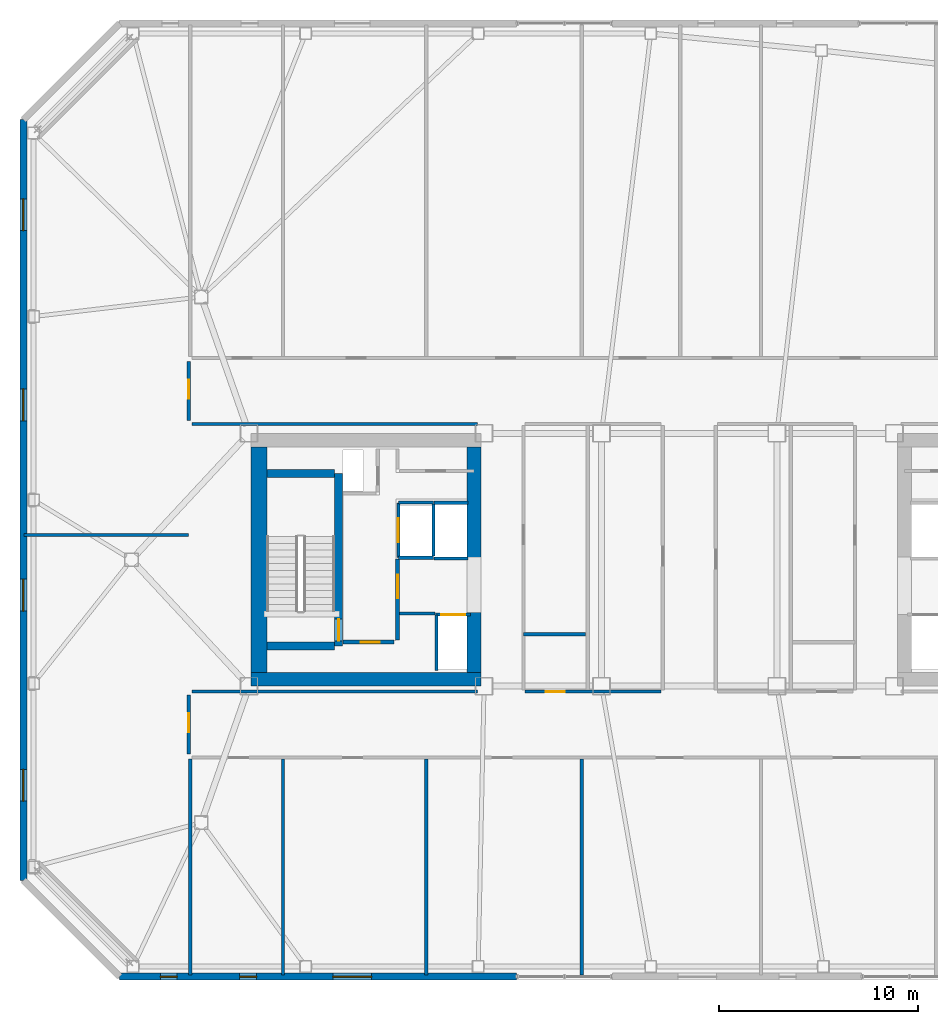
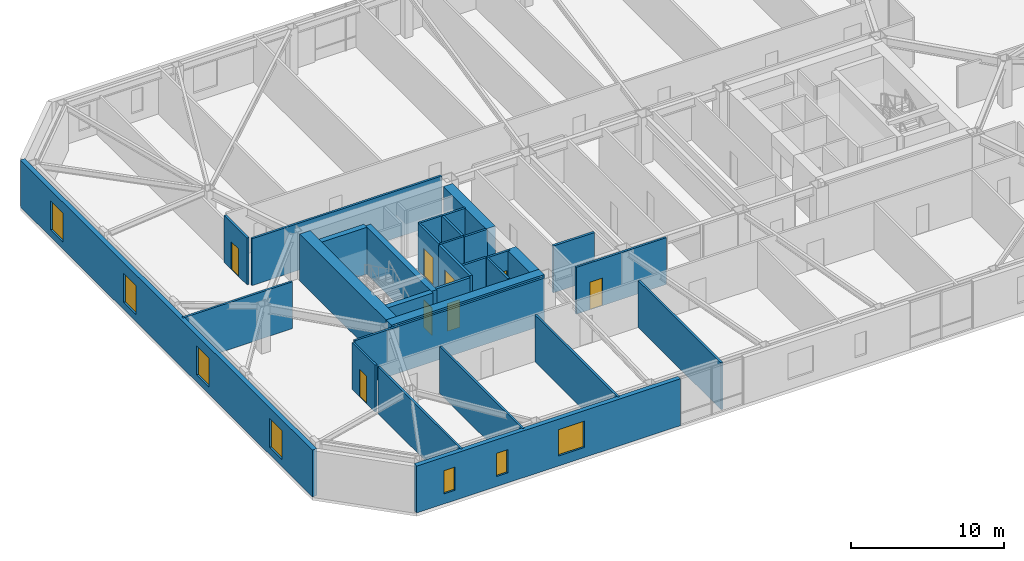
# One storey, part 10 of 18: 31 walls, 8 doors, 7 windows, 15 openings.
"""IFC4 building model written with IfcOpenShell, lengths in metres."""

from ifc_helpers import new_model, si_unit, direction, frame, frame_2d, origin, place, context, subcontext, project, spatial, rectangle, extrude, material, layer, layer_set, type_object, element, fill, save


model = new_model("IFC4")

# Units and contexts
model_context = context("Model", 3, precision=1e-05, world=origin(), true_north=direction((0.0, 1.0)))
body_context = subcontext(model_context, "Body", "Model", "MODEL_VIEW")
ifc_project = project(units=[si_unit("LENGTHUNIT", "METRE"), si_unit("AREAUNIT", "SQUARE_METRE"), si_unit("VOLUMEUNIT", "CUBIC_METRE"), si_unit("PLANEANGLEUNIT", "RADIAN"), si_unit("MASSUNIT", "GRAM", prefix="KILO")], contexts=[model_context])

# Site, building, storey
site_placement = place(None, origin())
site = spatial("IfcSite", under=ifc_project, at=site_placement, CompositionType="ELEMENT")
building_placement = place(site_placement, origin())
building = spatial("IfcBuilding", under=site, at=building_placement, Name="Tavrogorsk Clinical Tower", CompositionType="ELEMENT")
storey_placement = place(building_placement, frame((0.0, 0.0, 196.199951171875)))
storey = spatial("IfcBuildingStorey", under=building, at=storey_placement, Name="L45", CompositionType="ELEMENT", Elevation=196.199951171875)

# Wall, opening, door
ifc_material_1 = material(Name="Concrete B60", Category="concrete")
ifc_layer_1 = layer(ifc_material_1, 0.199951171875)
ifc_layer_set_1 = layer_set([ifc_layer_1], Name="Concrete B60")
wall_type_1 = type_object("IfcWallType", Name="CoreFireWall_200", PredefinedType="SOLIDWALL", material=ifc_layer_set_1)
wall_1_placement = place(storey_placement, frame((-17.3798828125, -4.139892578125, 0.0), z_axis=(0.0, 0.0, 1.0), x_axis=(1.0, 0.0, 0.0)))
wall_1 = element("IfcWall", 1, at=wall_1_placement, inside=storey, type_object=wall_type_1, Name="L45 Core West South Core Room Fire Wall", PredefinedType="SOLIDWALL", context=body_context, shape_type="SweptSolid", body=[
    extrude(rectangle(XDim=2.554931640625, YDim=0.199951171875, at=frame_2d((1.27734375, 0.0))), origin(), (0.0, 0.0, 1.0), 3.739990234375),
])
opening_1_placement = place(wall_1_placement, frame((0.8798828125, 0.0, 0.0)))
opening_1 = element("IfcOpeningElement", 2, at=opening_1_placement, cuts=wall_1, Name="Opening ID-02", PredefinedType="OPENING", context=body_context, shape_type="SweptSolid", body=[
    extrude(rectangle(XDim=0.949951171875, YDim=2.199951171875, at=frame_2d((0.47509765625, 1.10009765625))), frame((0.0, 0.10986328125, 0.0), z_axis=(0.0, -1.0, 0.0), x_axis=(1.0, 0.0, 0.0)), (0.0, 0.0, 1.0), 0.219970703125),
])
ifc_material_2 = material(Name="Laminated timber leaf on aluminium frame", Category="wood")
door_type_1 = type_object("IfcDoorType", Name="InteriorDoor_ID02_950", OperationType="NOTDEFINED", PredefinedType="DOOR", material=ifc_material_2)
door_1_placement = place(opening_1_placement, origin())
door_1 = element("IfcDoor", 3, at=door_1_placement, inside=storey, type_object=door_type_1, Name="L45 Core West South Core Room Door", OperationType="SINGLE_SWING_RIGHT", OverallHeight=2.199951171875, OverallWidth=0.949951171875, PredefinedType="DOOR", context=body_context, shape_type="SweptSolid", body=[
    extrude(rectangle(XDim=0.949951171875, YDim=2.199951171875, at=frame_2d((0.47509765625, 1.10009765625))), frame((0.0, 0.02490234375, 0.0), z_axis=(0.0, -1.0, 0.0), x_axis=(1.0, 0.0, 0.0)), (0.0, 0.0, 1.0), 0.050048828125),
])
fill(opening_1, door_1)

wall_2_placement = place(storey_placement, frame((-14.639892578125, -4.034912109375, 0.0), z_axis=(0.0, 0.0, 1.0), x_axis=(0.0, 1.0, 0.0)))
wall_2 = element("IfcWall", 4, at=wall_2_placement, inside=storey, type_object=wall_type_1, Name="L45 Core West Firefighting Lobby Fire Wall", PredefinedType="SOLIDWALL", context=body_context, shape_type="SweptSolid", body=[
    extrude(rectangle(XDim=4.074951171875, YDim=0.199951171875, at=frame_2d((2.03759765625, 0.0))), origin(), (0.0, 0.0, 1.0), 3.739990234375),
])
opening_2_placement = place(wall_2_placement, frame((2.090087890625, 0.0, 0.0)))
opening_2 = element("IfcOpeningElement", 5, at=opening_2_placement, cuts=wall_2, Name="Opening FD-01", PredefinedType="OPENING", context=body_context, shape_type="SweptSolid", body=[
    extrude(rectangle(XDim=1.199951171875, YDim=2.199951171875, at=frame_2d((0.60009765625, 1.10009765625))), frame((0.0, 0.10986328125, 0.0), z_axis=(0.0, -1.0, 0.0), x_axis=(1.0, 0.0, 0.0)), (0.0, 0.0, 1.0), 0.219970703125),
])
ifc_material_3 = material(Name="Galvanised steel fire-rated door assembly", Category="steel")
door_type_2 = type_object("IfcDoorType", Name="FireDoor_FD01_1200", OperationType="NOTDEFINED", PredefinedType="DOOR", material=ifc_material_3)
door_2_placement = place(opening_2_placement, origin())
door_2 = element("IfcDoor", 6, at=door_2_placement, inside=storey, type_object=door_type_2, Name="L45 Core West Firefighting Lobby Entry Door", OperationType="SINGLE_SWING_RIGHT", OverallHeight=2.199951171875, OverallWidth=1.199951171875, PredefinedType="DOOR", context=body_context, shape_type="SweptSolid", body=[
    extrude(rectangle(XDim=1.199951171875, YDim=2.199951171875, at=frame_2d((0.60009765625, 1.10009765625))), frame((0.0, 0.02490234375, 0.0), z_axis=(0.0, -1.0, 0.0), x_axis=(1.0, 0.0, 0.0)), (0.0, 0.0, 1.0), 0.050048828125),
])
fill(opening_2, door_2)

# Wall
ifc_material_4 = material(Name="Lightweight concrete blockwork B15", Category="masonry")
ifc_layer_2 = layer(ifc_material_4, 0.159912109375)
ifc_layer_set_2 = layer_set([ifc_layer_2], Name="Lightweight concrete blockwork B15")
wall_type_2 = type_object("IfcWallType", Name="PartitionWall_160", PredefinedType="PARTITIONING", material=ifc_layer_set_2)
wall_3_placement = place(storey_placement, frame((-14.534912109375, -2.699951171875, 0.0), z_axis=(0.0, 0.0, 1.0), x_axis=(1.0, 0.0, 0.0)))
element("IfcWall", 7, at=wall_3_placement, inside=storey, type_object=wall_type_2, Name="L45 Core West Freed Low-Bank North Partition", PredefinedType="PARTITIONING", context=body_context, shape_type="SweptSolid", body=[
    extrude(rectangle(XDim=1.760009765625, YDim=0.159912109375, at=frame_2d((0.8798828125, 0.0))), origin(), (0.0, 0.0, 1.0), 3.739990234375),
])

# Wall, opening, door
wall_4_placement = place(storey_placement, frame((-25.1298828125, -9.764892578125, 0.0), z_axis=(0.0, 0.0, 1.0), x_axis=(0.0, 1.0, 0.0)))
wall_4 = element("IfcWall", 8, at=wall_4_placement, inside=storey, type_object=wall_type_2, Name="L45 Corridor Partition 01", PredefinedType="PARTITIONING", context=body_context, shape_type="SweptSolid", body=[
    extrude(rectangle(XDim=2.97998046875, YDim=0.159912109375, at=frame_2d((1.489990234375, 0.0))), origin(), (0.0, 0.0, 1.0), 3.739990234375),
])
opening_3_placement = place(wall_4_placement, frame((1.10009765625, 0.0, 0.0)))
opening_3 = element("IfcOpeningElement", 9, at=opening_3_placement, cuts=wall_4, Name="Opening ID-02", PredefinedType="OPENING", context=body_context, shape_type="SweptSolid", body=[
    extrude(rectangle(XDim=0.949951171875, YDim=2.199951171875, at=frame_2d((0.47509765625, 1.10009765625))), frame((0.0, 0.08984375, 0.0), z_axis=(0.0, -1.0, 0.0), x_axis=(1.0, 0.0, 0.0)), (0.0, 0.0, 1.0), 0.179931640625),
])
door_3_placement = place(opening_3_placement, origin())
door_3 = element("IfcDoor", 10, at=door_3_placement, inside=storey, type_object=door_type_1, Name="L45 W Solarium Day Room & Lounge 1 Door", OperationType="SINGLE_SWING_RIGHT", OverallHeight=2.199951171875, OverallWidth=0.949951171875, PredefinedType="DOOR", context=body_context, shape_type="SweptSolid", body=[
    extrude(rectangle(XDim=0.949951171875, YDim=2.199951171875, at=frame_2d((0.47509765625, 1.10009765625))), frame((0.0, 0.02490234375, 0.0), z_axis=(0.0, -1.0, 0.0), x_axis=(1.0, 0.0, 0.0)), (0.0, 0.0, 1.0), 0.050048828125),
])
fill(opening_3, door_3)

# Walls
for number, where, z_axis, x_axis, name in (
    (11, (-24.965087890625, -6.6201171875, 0.0), (0.0, 0.0, 1.0), (1.0, 0.0, 0.0), "L45 Corridor Partition 02"),
    (12, (-10.6298828125, 6.820068359375, 0.0), (0.0, 0.0, 1.0), (-1.0, 0.0, 0.0), "L45 Corridor Partition 03"),
):
    element("IfcWall", number, at=place(storey_placement, frame(where, z_axis=z_axis, x_axis=x_axis)), inside=storey, type_object=wall_type_2, Name=name, PredefinedType="PARTITIONING", context=body_context, shape_type="SweptSolid", body=[
        extrude(rectangle(XDim=14.335205078125, YDim=0.159912109375, at=frame_2d((7.16748046875, 0.0))), origin(), (0.0, 0.0, 1.0), 3.739990234375),
    ])

# Wall, opening, door
wall_5_placement = place(storey_placement, frame((-25.1298828125, 6.985107421875, 0.0), z_axis=(0.0, 0.0, 1.0), x_axis=(0.0, 1.0, 0.0)))
wall_5 = element("IfcWall", 13, at=wall_5_placement, inside=storey, type_object=wall_type_2, Name="L45 Corridor Partition 04", PredefinedType="PARTITIONING", context=body_context, shape_type="SweptSolid", body=[
    extrude(rectangle(XDim=2.97998046875, YDim=0.159912109375, at=frame_2d((1.489990234375, 0.0))), origin(), (0.0, 0.0, 1.0), 3.739990234375),
])
opening_4_placement = place(wall_5_placement, frame((1.10009765625, 0.0, 0.0)))
opening_4 = element("IfcOpeningElement", 14, at=opening_4_placement, cuts=wall_5, Name="Opening ID-02", PredefinedType="OPENING", context=body_context, shape_type="SweptSolid", body=[
    extrude(rectangle(XDim=0.949951171875, YDim=2.199951171875, at=frame_2d((0.47509765625, 1.10009765625))), frame((0.0, 0.08984375, 0.0), z_axis=(0.0, -1.0, 0.0), x_axis=(1.0, 0.0, 0.0)), (0.0, 0.0, 1.0), 0.179931640625),
])
door_4_placement = place(opening_4_placement, origin())
door_4 = element("IfcDoor", 15, at=door_4_placement, inside=storey, type_object=door_type_1, Name="L45 W Rehabilitation Therapy Suite 2 Door", OperationType="SINGLE_SWING_LEFT", OverallHeight=2.199951171875, OverallWidth=0.949951171875, PredefinedType="DOOR", context=body_context, shape_type="SweptSolid", body=[
    extrude(rectangle(XDim=0.949951171875, YDim=2.199951171875, at=frame_2d((0.47509765625, 1.10009765625))), frame((0.0, 0.02490234375, 0.0), z_axis=(0.0, -1.0, 0.0), x_axis=(1.0, 0.0, 0.0)), (0.0, 0.0, 1.0), 0.050048828125),
])
fill(opening_4, door_4)

wall_6_placement = place(storey_placement, frame((-8.235107421875, -6.6201171875, 0.0), z_axis=(0.0, 0.0, 1.0), x_axis=(1.0, 0.0, 0.0)))
wall_6 = element("IfcWall", 16, at=wall_6_placement, inside=storey, type_object=wall_type_2, Name="L45 Corridor Partition 18", PredefinedType="PARTITIONING", context=body_context, shape_type="SweptSolid", body=[
    extrude(rectangle(XDim=6.820068359375, YDim=0.159912109375, at=frame_2d((3.41015625, 0.0))), origin(), (0.0, 0.0, 1.0), 3.739990234375),
])
opening_5_placement = place(wall_6_placement, frame((1.029052734375, 0.0, 0.0)))
opening_5 = element("IfcOpeningElement", 17, at=opening_5_placement, cuts=wall_6, Name="Opening ID-02", PredefinedType="OPENING", context=body_context, shape_type="SweptSolid", body=[
    extrude(rectangle(XDim=0.949951171875, YDim=2.199951171875, at=frame_2d((0.47509765625, 1.10009765625))), frame((0.0, 0.08984375, 0.0), z_axis=(0.0, -1.0, 0.0), x_axis=(1.0, 0.0, 0.0)), (0.0, 0.0, 1.0), 0.179931640625),
])
door_5_placement = place(opening_5_placement, origin())
door_5 = element("IfcDoor", 18, at=door_5_placement, inside=storey, type_object=door_type_1, Name="L45 Accessible Patient Lavatory Door", OperationType="SINGLE_SWING_RIGHT", OverallHeight=2.199951171875, OverallWidth=0.949951171875, PredefinedType="DOOR", context=body_context, shape_type="SweptSolid", body=[
    extrude(rectangle(XDim=0.949951171875, YDim=2.199951171875, at=frame_2d((0.47509765625, 1.10009765625))), frame((0.0, 0.02490234375, 0.0), z_axis=(0.0, -1.0, 0.0), x_axis=(1.0, 0.0, 0.0)), (0.0, 0.0, 1.0), 0.050048828125),
])
fill(opening_5, door_5)

# Walls
for number, where, z_axis, x_axis, name in (
    (19, (-25.050048828125, -20.860107421875, 0.0), (0.0, 0.0, 1.0), (0.0, 1.0, 0.0), "L45 SW Wing Closure Partition"),
    (20, (-20.39990234375, -20.860107421875, 0.0), (0.0, 0.0, 1.0), (0.0, 1.0, 0.0), "L45 South Room Partition 1"),
    (21, (-13.199951171875, -20.860107421875, 0.0), (0.0, 0.0, 1.0), (0.0, 1.0, 0.0), "L45 South Room Partition 2"),
    (22, (-5.39990234375, -20.860107421875, 0.0), (0.0, 0.0, 1.0), (0.0, 1.0, 0.0), "L45 South Room Partition 3"),
):
    element("IfcWall", number, at=place(storey_placement, frame(where, z_axis=z_axis, x_axis=x_axis)), inside=storey, type_object=wall_type_2, Name=name, PredefinedType="PARTITIONING", context=body_context, shape_type="SweptSolid", body=[
        extrude(rectangle(XDim=10.84521484375, YDim=0.159912109375, at=frame_2d((5.422607421875, 0.0))), origin(), (0.0, 0.0, 1.0), 3.739990234375),
    ])
wall_7_placement = place(storey_placement, frame((-33.409912109375, 1.25, 0.0), z_axis=(0.0, 0.0, 1.0), x_axis=(1.0, 0.0, 0.0)))
element("IfcWall", 23, at=wall_7_placement, inside=storey, type_object=wall_type_2, Name="L45 W Wing Divider 1", PredefinedType="PARTITIONING", context=body_context, shape_type="SweptSolid", body=[
    extrude(rectangle(XDim=8.280029296875, YDim=0.159912109375, at=frame_2d((4.14013671875, 0.0))), origin(), (0.0, 0.0, 1.0), 3.739990234375),
])
ifc_material_5 = material(Name="Lightweight concrete blockwork B20", Category="masonry")
ifc_layer_3 = layer(ifc_material_5, 0.179931640625)
ifc_layer_set_3 = layer_set([ifc_layer_3], Name="Lightweight concrete blockwork B20")
wall_type_3 = type_object("IfcWallType", Name="PartitionWall_180", PredefinedType="PARTITIONING", material=ifc_layer_set_3)
wall_8_placement = place(storey_placement, frame((-8.31494140625, -3.75, 0.0), z_axis=(0.0, 0.0, 1.0), x_axis=(1.0, 0.0, 0.0)))
element("IfcWall", 24, at=wall_8_placement, inside=storey, type_object=wall_type_3, Name="L45 Central Spine Partition 3", PredefinedType="PARTITIONING", context=body_context, shape_type="SweptSolid", body=[
    extrude(rectangle(XDim=3.119873046875, YDim=0.179931640625, at=frame_2d((1.56005859375, 0.0))), origin(), (0.0, 0.0, 1.0), 3.739990234375),
])

# Wall, openings, windows
ifc_material_6 = material(Name="Precast concrete B45 with limestone cladding", Category="masonry")
ifc_layer_4 = layer(ifc_material_6, 0.340087890625)
ifc_layer_set_4 = layer_set([ifc_layer_4], Name="Precast concrete B45 with limestone cladding")
wall_type_4 = type_object("IfcWallType", Name="PrecastLimestoneWall_340", PredefinedType="STANDARD", material=ifc_layer_set_4)
wall_9_placement = place(storey_placement, frame((-28.60009765625, -20.929931640625, 0.0), z_axis=(0.0, 0.0, 1.0), x_axis=(1.0, 0.0, 0.0)))
wall_9 = element("IfcWall", 25, at=wall_9_placement, inside=storey, type_object=wall_type_4, Name="L45 S Limestone Facade Wall 1", PredefinedType="STANDARD", context=body_context, shape_type="SweptSolid", body=[
    extrude(rectangle(XDim=19.937255859375, YDim=0.340087890625, at=frame_2d((9.96875, 0.0))), origin(), (0.0, 0.0, 1.0), 3.739990234375),
])
opening_6_placement = place(wall_9_placement, frame((2.0439453125, 0.0, 0.800048828125)))
opening_6 = element("IfcOpeningElement", 26, at=opening_6_placement, cuts=wall_9, Name="Opening WN-06", PredefinedType="OPENING", context=body_context, shape_type="SweptSolid", body=[
    extrude(rectangle(XDim=0.85009765625, YDim=1.85009765625, at=frame_2d((0.425048828125, 0.925048828125))), frame((0.0, 0.179931640625, 0.0), z_axis=(0.0, -1.0, 0.0), x_axis=(1.0, 0.0, 0.0)), (0.0, 0.0, 1.0), 0.360107421875),
])
opening_7_placement = place(wall_9_placement, frame((6.02880859375, 0.0, 0.800048828125)))
opening_7 = element("IfcOpeningElement", 27, at=opening_7_placement, cuts=wall_9, Name="Opening WN-06", PredefinedType="OPENING", context=body_context, shape_type="SweptSolid", body=[
    extrude(rectangle(XDim=0.85009765625, YDim=1.85009765625, at=frame_2d((0.425048828125, 0.925048828125))), frame((0.0, 0.179931640625, 0.0), z_axis=(0.0, -1.0, 0.0), x_axis=(1.0, 0.0, 0.0)), (0.0, 0.0, 1.0), 0.360107421875),
])
opening_8_placement = place(wall_9_placement, frame((10.706787109375, 0.0, 0.800048828125)))
opening_8 = element("IfcOpeningElement", 28, at=opening_8_placement, cuts=wall_9, Name="Opening WN-13", PredefinedType="OPENING", context=body_context, shape_type="SweptSolid", body=[
    extrude(rectangle(XDim=1.949951171875, YDim=2.10009765625, at=frame_2d((0.97509765625, 1.050048828125))), frame((0.0, 0.179931640625, 0.0), z_axis=(0.0, -1.0, 0.0), x_axis=(1.0, 0.0, 0.0)), (0.0, 0.0, 1.0), 0.360107421875),
])
ifc_material_7 = material(Name="Thermally broken aluminium frame and triple IGU", Category="aluminium")
window_type_1 = type_object("IfcWindowType", Name="ExamRoomWin_1950x2100", PartitioningType="DOUBLE_PANEL_VERTICAL", PredefinedType="WINDOW", material=ifc_material_7)
window_1_placement = place(opening_8_placement, origin())
window_1 = element("IfcWindow", 29, at=window_1_placement, inside=storey, type_object=window_type_1, Name="L45 S Chicago Window 03", OverallHeight=2.10009765625, OverallWidth=1.949951171875, PartitioningType="SINGLE_PANEL", PredefinedType="WINDOW", context=body_context, shape_type="SweptSolid", body=[
    extrude(rectangle(XDim=1.949951171875, YDim=2.10009765625, at=frame_2d((0.97509765625, 1.050048828125))), frame((0.0, 0.030029296875, 0.0), z_axis=(0.0, -1.0, 0.0), x_axis=(1.0, 0.0, 0.0)), (0.0, 0.0, 1.0), 0.06005859375),
])
fill(opening_8, window_1)
ifc_material_8 = material(Name="Thermally broken aluminium frame and triple IGU", Category="aluminium")
window_type_2 = type_object("IfcWindowType", Name="MullionSubWin_850x1850", PartitioningType="SINGLE_PANEL", PredefinedType="WINDOW", material=ifc_material_8)
window_2_placement = place(opening_6_placement, origin())
window_2 = element("IfcWindow", 30, at=window_2_placement, inside=storey, type_object=window_type_2, Name="L45 S Mullion Split Window 01A", OverallHeight=1.85009765625, OverallWidth=0.85009765625, PartitioningType="SINGLE_PANEL", PredefinedType="WINDOW", context=body_context, shape_type="SweptSolid", body=[
    extrude(rectangle(XDim=0.85009765625, YDim=1.85009765625, at=frame_2d((0.425048828125, 0.925048828125))), frame((0.0, 0.030029296875, 0.0), z_axis=(0.0, -1.0, 0.0), x_axis=(1.0, 0.0, 0.0)), (0.0, 0.0, 1.0), 0.06005859375),
])
fill(opening_6, window_2)
window_3_placement = place(opening_7_placement, origin())
window_3 = element("IfcWindow", 31, at=window_3_placement, inside=storey, type_object=window_type_2, Name="L45 S Mullion Split Window 02A", OverallHeight=1.85009765625, OverallWidth=0.85009765625, PartitioningType="SINGLE_PANEL", PredefinedType="WINDOW", context=body_context, shape_type="SweptSolid", body=[
    extrude(rectangle(XDim=0.85009765625, YDim=1.85009765625, at=frame_2d((0.425048828125, 0.925048828125))), frame((0.0, 0.030029296875, 0.0), z_axis=(0.0, -1.0, 0.0), x_axis=(1.0, 0.0, 0.0)), (0.0, 0.0, 1.0), 0.06005859375),
])
fill(opening_7, window_3)

wall_10_placement = place(storey_placement, frame((-33.429931640625, 22.10009765625, 0.0), z_axis=(0.0, 0.0, 1.0), x_axis=(0.0, -1.0, 0.0)))
wall_10 = element("IfcWall", 32, at=wall_10_placement, inside=storey, type_object=wall_type_4, Name="L45 W Pleated Limestone Wing Wall", PredefinedType="STANDARD", context=body_context, shape_type="SweptSolid", body=[
    extrude(rectangle(XDim=38.2001953125, YDim=0.340087890625, at=frame_2d((19.10009765625, 0.0))), origin(), (0.0, 0.0, 1.0), 3.739990234375),
])
opening_9_placement = place(wall_10_placement, frame((3.97509765625, 0.0, 0.580078125)))
opening_9 = element("IfcOpeningElement", 33, at=opening_9_placement, cuts=wall_10, Name="Opening WN-07", PredefinedType="OPENING", context=body_context, shape_type="SweptSolid", body=[
    extrude(rectangle(XDim=1.60009765625, YDim=2.300048828125, at=frame_2d((0.800048828125, 1.14990234375))), frame((0.0, 0.179931640625, 0.0), z_axis=(0.0, -1.0, 0.0), x_axis=(1.0, 0.0, 0.0)), (0.0, 0.0, 1.0), 0.360107421875),
])
opening_10_placement = place(wall_10_placement, frame((13.52490234375, 0.0, 0.580078125)))
opening_10 = element("IfcOpeningElement", 34, at=opening_10_placement, cuts=wall_10, Name="Opening WN-07", PredefinedType="OPENING", context=body_context, shape_type="SweptSolid", body=[
    extrude(rectangle(XDim=1.60009765625, YDim=2.300048828125, at=frame_2d((0.800048828125, 1.14990234375))), frame((0.0, 0.179931640625, 0.0), z_axis=(0.0, -1.0, 0.0), x_axis=(1.0, 0.0, 0.0)), (0.0, 0.0, 1.0), 0.360107421875),
])
opening_11_placement = place(wall_10_placement, frame((23.074951171875, 0.0, 0.580078125)))
opening_11 = element("IfcOpeningElement", 35, at=opening_11_placement, cuts=wall_10, Name="Opening WN-07", PredefinedType="OPENING", context=body_context, shape_type="SweptSolid", body=[
    extrude(rectangle(XDim=1.60009765625, YDim=2.300048828125, at=frame_2d((0.800048828125, 1.14990234375))), frame((0.0, 0.179931640625, 0.0), z_axis=(0.0, -1.0, 0.0), x_axis=(1.0, 0.0, 0.0)), (0.0, 0.0, 1.0), 0.360107421875),
])
opening_12_placement = place(wall_10_placement, frame((32.625, 0.0, 0.580078125)))
opening_12 = element("IfcOpeningElement", 36, at=opening_12_placement, cuts=wall_10, Name="Opening WN-07", PredefinedType="OPENING", context=body_context, shape_type="SweptSolid", body=[
    extrude(rectangle(XDim=1.60009765625, YDim=2.300048828125, at=frame_2d((0.800048828125, 1.14990234375))), frame((0.0, 0.179931640625, 0.0), z_axis=(0.0, -1.0, 0.0), x_axis=(1.0, 0.0, 0.0)), (0.0, 0.0, 1.0), 0.360107421875),
])
ifc_material_9 = material(Name="Thermally broken aluminium frame and triple IGU", Category="aluminium")
window_type_3 = type_object("IfcWindowType", Name="PleatSlotWin_1600x2300", PartitioningType="SINGLE_PANEL", PredefinedType="WINDOW", material=ifc_material_9)
window_4_placement = place(opening_9_placement, origin())
window_4 = element("IfcWindow", 37, at=window_4_placement, inside=storey, type_object=window_type_3, Name="L45 W Pleat Slot Window 1", OverallHeight=2.300048828125, OverallWidth=1.60009765625, PartitioningType="SINGLE_PANEL", PredefinedType="WINDOW", context=body_context, shape_type="SweptSolid", body=[
    extrude(rectangle(XDim=1.60009765625, YDim=2.300048828125, at=frame_2d((0.800048828125, 1.14990234375))), frame((0.0, 0.030029296875, 0.0), z_axis=(0.0, -1.0, 0.0), x_axis=(1.0, 0.0, 0.0)), (0.0, 0.0, 1.0), 0.06005859375),
])
fill(opening_9, window_4)
window_5_placement = place(opening_10_placement, origin())
window_5 = element("IfcWindow", 38, at=window_5_placement, inside=storey, type_object=window_type_3, Name="L45 W Pleat Slot Window 2", OverallHeight=2.300048828125, OverallWidth=1.60009765625, PartitioningType="SINGLE_PANEL", PredefinedType="WINDOW", context=body_context, shape_type="SweptSolid", body=[
    extrude(rectangle(XDim=1.60009765625, YDim=2.300048828125, at=frame_2d((0.800048828125, 1.14990234375))), frame((0.0, 0.030029296875, 0.0), z_axis=(0.0, -1.0, 0.0), x_axis=(1.0, 0.0, 0.0)), (0.0, 0.0, 1.0), 0.06005859375),
])
fill(opening_10, window_5)
window_6_placement = place(opening_11_placement, origin())
window_6 = element("IfcWindow", 39, at=window_6_placement, inside=storey, type_object=window_type_3, Name="L45 W Pleat Slot Window 3", OverallHeight=2.300048828125, OverallWidth=1.60009765625, PartitioningType="SINGLE_PANEL", PredefinedType="WINDOW", context=body_context, shape_type="SweptSolid", body=[
    extrude(rectangle(XDim=1.60009765625, YDim=2.300048828125, at=frame_2d((0.800048828125, 1.14990234375))), frame((0.0, 0.030029296875, 0.0), z_axis=(0.0, -1.0, 0.0), x_axis=(1.0, 0.0, 0.0)), (0.0, 0.0, 1.0), 0.06005859375),
])
fill(opening_11, window_6)
window_7_placement = place(opening_12_placement, origin())
window_7 = element("IfcWindow", 40, at=window_7_placement, inside=storey, type_object=window_type_3, Name="L45 W Pleat Slot Window 4", OverallHeight=2.300048828125, OverallWidth=1.60009765625, PartitioningType="SINGLE_PANEL", PredefinedType="WINDOW", context=body_context, shape_type="SweptSolid", body=[
    extrude(rectangle(XDim=1.60009765625, YDim=2.300048828125, at=frame_2d((0.800048828125, 1.14990234375))), frame((0.0, 0.030029296875, 0.0), z_axis=(0.0, -1.0, 0.0), x_axis=(1.0, 0.0, 0.0)), (0.0, 0.0, 1.0), 0.06005859375),
])
fill(opening_12, window_7)

# Wall, opening, door
ifc_material_10 = material(Name="Lightweight concrete blockwork B25", Category="masonry")
ifc_layer_5 = layer(ifc_material_10, 0.159912109375)
ifc_layer_set_5 = layer_set([ifc_layer_5], Name="Lightweight concrete blockwork B25")
wall_type_5 = type_object("IfcWallType", Name="ShaftWall_160", PredefinedType="PARTITIONING", material=ifc_layer_set_5)
wall_11_placement = place(storey_placement, frame((-14.60009765625, 0.1201171875, 0.0), z_axis=(0.0, 0.0, 1.0), x_axis=(0.0, 1.0, 0.0)))
wall_11 = element("IfcWall", 41, at=wall_11_placement, inside=storey, type_object=wall_type_5, Name="L45 FFL-W Firefighting Lift Front Wall", PredefinedType="PARTITIONING", context=body_context, shape_type="SweptSolid", body=[
    extrude(rectangle(XDim=2.739990234375, YDim=0.159912109375, at=frame_2d((1.3701171875, 0.0))), origin(), (0.0, 0.0, 1.0), 3.739990234375),
])
opening_13_placement = place(wall_11_placement, frame((0.77001953125, 0.0, 0.0)))
opening_13 = element("IfcOpeningElement", 42, at=opening_13_placement, cuts=wall_11, Name="Opening LD", PredefinedType="OPENING", context=body_context, shape_type="SweptSolid", body=[
    extrude(rectangle(XDim=1.199951171875, YDim=2.199951171875, at=frame_2d((0.60009765625, 1.10009765625))), frame((0.0, 0.08984375, 0.0), z_axis=(0.0, -1.0, 0.0), x_axis=(1.0, 0.0, 0.0)), (0.0, 0.0, 1.0), 0.179931640625),
])
ifc_material_11 = material(Name="Brushed stainless steel AISI 304 sliding doors", Category="steel")
door_type_3 = type_object("IfcDoorType", Name="LiftLandingDoor_LD_1200", OperationType="SLIDING_TO_LEFT", PredefinedType="DOOR", material=ifc_material_11)
door_6_placement = place(opening_13_placement, origin())
door_6 = element("IfcDoor", 43, at=door_6_placement, inside=storey, type_object=door_type_3, Name="L45 FFL-W Sliding Lift Landing Door", OperationType="SLIDING_TO_LEFT", OverallHeight=2.199951171875, OverallWidth=1.199951171875, PredefinedType="DOOR", context=body_context, shape_type="SweptSolid", body=[
    extrude(rectangle(XDim=1.199951171875, YDim=2.199951171875, at=frame_2d((0.60009765625, 1.10009765625))), frame((0.0, 0.02490234375, 0.0), z_axis=(0.0, -1.0, 0.0), x_axis=(1.0, 0.0, 0.0)), (0.0, 0.0, 1.0), 0.050048828125),
])
fill(opening_13, door_6)

# Walls
for number, where, z_axis, x_axis, name in (
    (44, (-14.60009765625, 0.10009765625, 0.0), (0.0, 0.0, 1.0), (1.0, 0.0, 0.0), "L45 FFL-W Shaft South Wall"),
    (45, (-14.60009765625, 2.8798828125, 0.0), (0.0, 0.0, 1.0), (1.0, 0.0, 0.0), "L45 FFL-W Shaft North Wall"),
):
    element("IfcWall", number, at=place(storey_placement, frame(where, z_axis=z_axis, x_axis=x_axis)), inside=storey, type_object=wall_type_5, Name=name, PredefinedType="PARTITIONING", context=body_context, shape_type="SweptSolid", body=[
        extrude(rectangle(XDim=1.760009765625, YDim=0.159912109375, at=frame_2d((0.8798828125, 0.0))), origin(), (0.0, 0.0, 1.0), 3.739990234375),
    ])
wall_12_placement = place(storey_placement, frame((-12.840087890625, 0.179931640625, 0.0), z_axis=(0.0, 0.0, 1.0), x_axis=(0.0, 1.0, 0.0)))
element("IfcWall", 46, at=wall_12_placement, inside=storey, type_object=wall_type_5, Name="L45 FFL-W Shaft Back Wall", PredefinedType="PARTITIONING", context=body_context, shape_type="SweptSolid", body=[
    extrude(rectangle(XDim=2.6201171875, YDim=0.159912109375, at=frame_2d((1.31005859375, 0.0))), origin(), (0.0, 0.0, 1.0), 3.739990234375),
])

# Wall, opening, door
wall_13_placement = place(storey_placement, frame((-12.72998046875, -2.75, 0.0), z_axis=(0.0, 0.0, 1.0), x_axis=(1.0, 0.0, 0.0)))
wall_13 = element("IfcWall", 47, at=wall_13_placement, inside=storey, type_object=wall_type_5, Name="L45 LP-M1 Lift Shaft Portal Wall", PredefinedType="PARTITIONING", context=body_context, shape_type="SweptSolid", body=[
    extrude(rectangle(XDim=1.760009765625, YDim=0.159912109375, at=frame_2d((0.8798828125, 0.0))), origin(), (0.0, 0.0, 1.0), 3.739990234375),
])
opening_14_placement = place(wall_13_placement, frame((0.280029296875, 0.0, 0.0)))
opening_14 = element("IfcOpeningElement", 48, at=opening_14_placement, cuts=wall_13, Name="Opening LD", PredefinedType="OPENING", context=body_context, shape_type="SweptSolid", body=[
    extrude(rectangle(XDim=1.199951171875, YDim=2.199951171875, at=frame_2d((0.60009765625, 1.10009765625))), frame((0.0, 0.08984375, 0.0), z_axis=(0.0, -1.0, 0.0), x_axis=(1.0, 0.0, 0.0)), (0.0, 0.0, 1.0), 0.179931640625),
])
door_7_placement = place(opening_14_placement, origin())
door_7 = element("IfcDoor", 49, at=door_7_placement, inside=storey, type_object=door_type_3, Name="L45 LP-M1 Sliding Lift Landing Door", OperationType="SLIDING_TO_LEFT", OverallHeight=2.199951171875, OverallWidth=1.199951171875, PredefinedType="DOOR", context=body_context, shape_type="SweptSolid", body=[
    extrude(rectangle(XDim=1.199951171875, YDim=2.199951171875, at=frame_2d((0.60009765625, 1.10009765625))), frame((0.0, 0.02490234375, 0.0), z_axis=(0.0, -1.0, 0.0), x_axis=(1.0, 0.0, 0.0)), (0.0, 0.0, 1.0), 0.050048828125),
])
fill(opening_14, door_7)

# Walls
for number, where, z_axis, x_axis, name in (
    (50, (-12.820068359375, 0.06005859375, 0.0), (0.0, 0.0, 1.0), (1.0, 0.0, 0.0), "L45 LP-H1 High-Zone Lift Portal Wall"),
    (51, (-12.820068359375, 2.860107421875, 0.0), (0.0, 0.0, 1.0), (1.0, 0.0, 0.0), "L45 LP-H1 High-Zone Lift Rear Wall"),
):
    element("IfcWall", number, at=place(storey_placement, frame(where, z_axis=z_axis, x_axis=x_axis)), inside=storey, type_object=wall_type_5, Name=name, PredefinedType="PARTITIONING", context=body_context, shape_type="SweptSolid", body=[
        extrude(rectangle(XDim=1.719970703125, YDim=0.159912109375, at=frame_2d((0.85986328125, 0.0))), origin(), (0.0, 0.0, 1.0), 3.739990234375),
    ])
wall_14_placement = place(storey_placement, frame((-12.68994140625, -5.56005859375, 0.0), z_axis=(0.0, 0.0, 1.0), x_axis=(0.0, 1.0, 0.0)))
element("IfcWall", 52, at=wall_14_placement, inside=storey, type_object=wall_type_5, Name="L45 Core West Freed Low-Bank Shaft Divider", PredefinedType="PARTITIONING", context=body_context, shape_type="SweptSolid", body=[
    extrude(rectangle(XDim=2.775146484375, YDim=0.159912109375, at=frame_2d((1.3876953125, 0.0))), origin(), (0.0, 0.0, 1.0), 3.739990234375),
])

# Wall, opening, door
ifc_material_12 = material(Name="Concrete B80", Category="concrete")
ifc_layer_6 = layer(ifc_material_12, 0.39990234375)
ifc_layer_set_6 = layer_set([ifc_layer_6], Name="Concrete B80")
wall_type_6 = type_object("IfcWallType", Name="ShearWall_400", PredefinedType="SHEAR", material=ifc_layer_set_6)
wall_15_placement = place(storey_placement, frame((-17.60009765625, -4.324951171875, 0.0), z_axis=(0.0, 0.0, 1.0), x_axis=(0.0, 1.0, 0.0)))
wall_15 = element("IfcWall", 53, at=wall_15_placement, inside=storey, type_object=wall_type_6, Name="L45 Core West Stair Shaft Inner Shear Wall", PredefinedType="SHEAR", context=body_context, shape_type="SweptSolid", body=[
    extrude(rectangle(XDim=8.64990234375, YDim=0.39990234375, at=frame_2d((4.324951171875, 0.0))), origin(), (0.0, 0.0, 1.0), 3.739990234375),
])
opening_15_placement = place(wall_15_placement, frame((0.25, 0.0, 0.0)))
opening_15 = element("IfcOpeningElement", 54, at=opening_15_placement, cuts=wall_15, Name="Opening SD-01", PredefinedType="OPENING", context=body_context, shape_type="SweptSolid", body=[
    extrude(rectangle(XDim=1.10009765625, YDim=2.199951171875, at=frame_2d((0.550048828125, 1.10009765625))), frame((0.0, 0.2099609375, 0.0), z_axis=(0.0, -1.0, 0.0), x_axis=(1.0, 0.0, 0.0)), (0.0, 0.0, 1.0), 0.419921875),
])
ifc_material_13 = material(Name="Galvanised steel smoke-tight fire door assembly", Category="steel")
door_type_4 = type_object("IfcDoorType", Name="StairFireDoor_SD01_1100", OperationType="NOTDEFINED", PredefinedType="DOOR", material=ifc_material_13)
door_8_placement = place(opening_15_placement, origin())
door_8 = element("IfcDoor", 55, at=door_8_placement, inside=storey, type_object=door_type_4, Name="L45 ST-W Exit Stair Door", OperationType="SINGLE_SWING_LEFT", OverallHeight=2.199951171875, OverallWidth=1.10009765625, PredefinedType="DOOR", context=body_context, shape_type="SweptSolid", body=[
    extrude(rectangle(XDim=1.10009765625, YDim=2.199951171875, at=frame_2d((0.550048828125, 1.10009765625))), frame((0.0, 0.02490234375, 0.0), z_axis=(0.0, -1.0, 0.0), x_axis=(1.0, 0.0, 0.0)), (0.0, 0.0, 1.0), 0.050048828125),
])
fill(opening_15, door_8)

# Walls
for number, where, z_axis, x_axis, name in (
    (56, (-21.199951171875, -4.324951171875, 0.0), (0.0, 0.0, 1.0), (1.0, 0.0, 0.0), "L45 Core West Stair Shaft South Shear Wall"),
    (57, (-21.199951171875, 4.324951171875, 0.0), (0.0, 0.0, 1.0), (1.0, 0.0, 0.0), "L45 Core West Stair Shaft North Shear Wall"),
):
    element("IfcWall", number, at=place(storey_placement, frame(where, z_axis=z_axis, x_axis=x_axis)), inside=storey, type_object=wall_type_6, Name=name, PredefinedType="SHEAR", context=body_context, shape_type="SweptSolid", body=[
        extrude(rectangle(XDim=3.39990234375, YDim=0.39990234375, at=frame_2d((1.699951171875, 0.0))), origin(), (0.0, 0.0, 1.0), 3.739990234375),
    ])
ifc_material_14 = material(Name="Concrete B80", Category="concrete")
ifc_layer_7 = layer(ifc_material_14, 0.699951171875)
ifc_layer_set_7 = layer_set([ifc_layer_7], Name="Concrete B80")
wall_type_7 = type_object("IfcWallType", Name="ShearWall_700", PredefinedType="SHEAR", material=ifc_layer_set_7)
wall_16_placement = place(storey_placement, frame((-22.0, -6.0, 0.0), z_axis=(0.0, 0.0, 1.0), x_axis=(1.0, 0.0, 0.0)))
element("IfcWall", 58, at=wall_16_placement, inside=storey, type_object=wall_type_7, Name="L45 Core West South Shear Wall", PredefinedType="SHEAR", context=body_context, shape_type="SweptSolid", body=[
    extrude(rectangle(XDim=11.550048828125, YDim=0.699951171875, at=frame_2d((5.77490234375, 0.0))), origin(), (0.0, 0.0, 1.0), 3.739990234375),
])
wall_17_placement = place(storey_placement, frame((-10.800048828125, -5.64990234375, 0.0), z_axis=(0.0, 0.0, 1.0), x_axis=(0.0, 1.0, 0.0)))
element("IfcWall", 59, at=wall_17_placement, inside=storey, type_object=wall_type_7, Name="L45 Core West Inner South Pier", PredefinedType="SHEAR", context=body_context, shape_type="SweptSolid", body=[
    extrude(rectangle(XDim=3.0, YDim=0.699951171875, at=frame_2d((1.5, 0.0))), origin(), (0.0, 0.0, 1.0), 3.739990234375),
])
wall_18_placement = place(storey_placement, frame((-10.800048828125, 0.050048828125, 0.0), z_axis=(0.0, 0.0, 1.0), x_axis=(0.0, 1.0, 0.0)))
element("IfcWall", 60, at=wall_18_placement, inside=storey, type_object=wall_type_7, Name="L45 Core West Inner North Pier", PredefinedType="SHEAR", context=body_context, shape_type="SweptSolid", body=[
    extrude(rectangle(XDim=5.599853515625, YDim=0.699951171875, at=frame_2d((2.7998046875, 0.0))), origin(), (0.0, 0.0, 1.0), 3.739990234375),
])
ifc_material_15 = material(Name="Concrete B80", Category="concrete")
ifc_layer_8 = layer(ifc_material_15, 0.800048828125)
ifc_layer_set_8 = layer_set([ifc_layer_8], Name="Concrete B80")
wall_type_8 = type_object("IfcWallType", Name="ShearWall_800", PredefinedType="SHEAR", material=ifc_layer_set_8)
wall_19_placement = place(storey_placement, frame((-21.60009765625, -5.64990234375, 0.0), z_axis=(0.0, 0.0, 1.0), x_axis=(0.0, 1.0, 0.0)))
element("IfcWall", 61, at=wall_19_placement, inside=storey, type_object=wall_type_8, Name="L45 Core West End Shear Wall", PredefinedType="SHEAR", context=body_context, shape_type="SweptSolid", body=[
    extrude(rectangle(XDim=11.2998046875, YDim=0.800048828125, at=frame_2d((5.64990234375, 0.0))), origin(), (0.0, 0.0, 1.0), 3.739990234375),
])

save(model, "model.ifc")
